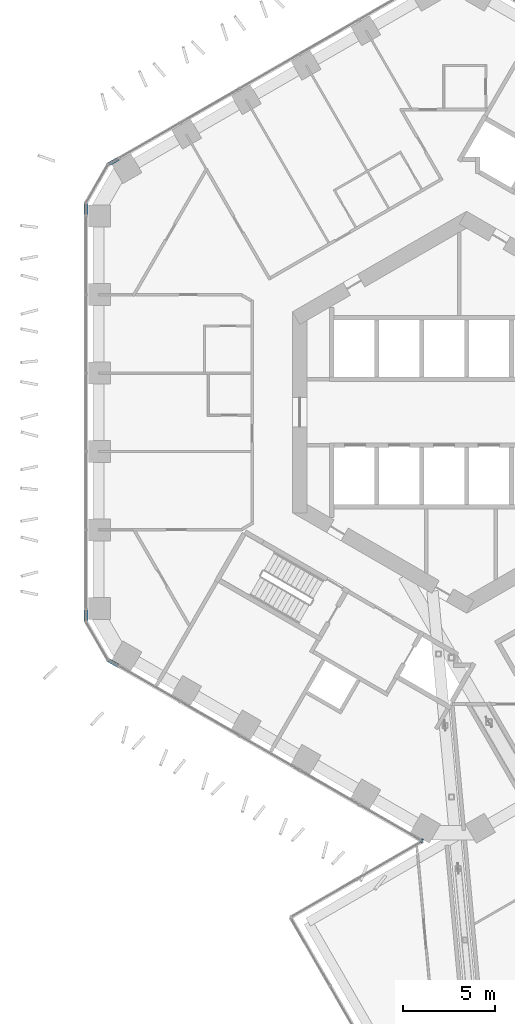
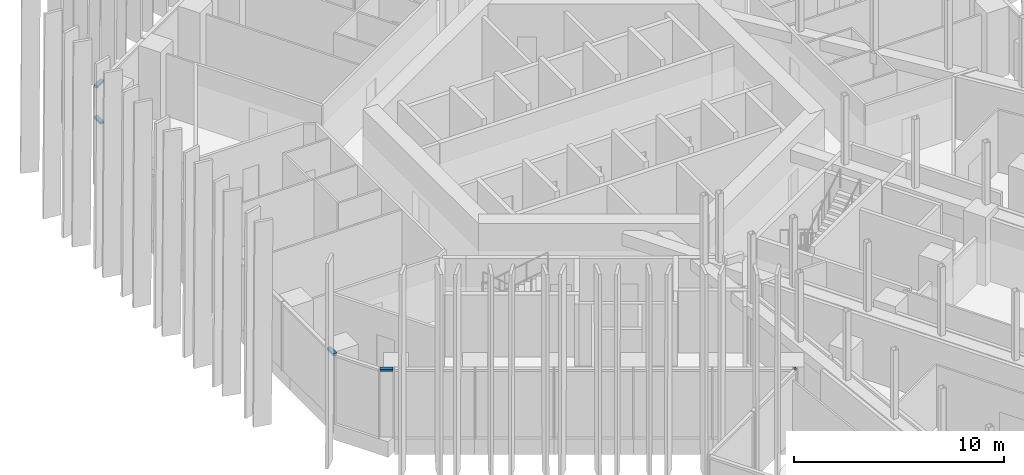
# One storey, part 11 of 29: 5 members, 3 elements without a shape of their own.
"""IFC4 building model written with IfcOpenShell, lengths in metres."""

from ifc_helpers import new_model, si_unit, direction, frame, origin, origin_2d, place, context, subcontext, project, spatial, rectangle, extrude, material, layer, layer_set, material_profile, profile_set, type_object, element, aggregate, save


model = new_model("IFC4")

# Units and contexts
model_context = context("Model", 3, precision=1e-05, world=origin(), true_north=direction((0.0, 1.0)))
body_context = subcontext(model_context, "Body", "Model", "MODEL_VIEW")
ifc_project = project(units=[si_unit("LENGTHUNIT", "METRE"), si_unit("AREAUNIT", "SQUARE_METRE"), si_unit("VOLUMEUNIT", "CUBIC_METRE"), si_unit("PLANEANGLEUNIT", "RADIAN"), si_unit("MASSUNIT", "GRAM", prefix="KILO")], contexts=[model_context])

# Site, building, storey
site_placement = place(None, origin())
site = spatial("IfcSite", under=ifc_project, at=site_placement, CompositionType="ELEMENT")
building_placement = place(site_placement, origin())
building = spatial("IfcBuilding", under=site, at=building_placement, Name="Ayvan Gate Tower", CompositionType="ELEMENT")
storey_placement = place(building_placement, frame((0.0, 0.0, 66.300048828125)))
storey = spatial("IfcBuildingStorey", under=building, at=storey_placement, Name="L17", CompositionType="ELEMENT", Elevation=66.300048828125)

# Curtain wall, members
ifc_material = material(Name="Bronze anodised aluminium", Category="aluminium")
ifc_layer = layer(ifc_material, 0.199951171875)
ifc_layer_set = layer_set([ifc_layer], Name="Bronze anodised aluminium")
curtain_wall_type = type_object("IfcCurtainWallType", Name="Stick curtain wall CW-6", PredefinedType="NOTDEFINED", material=ifc_layer_set)
curtain_wall_1_placement = place(storey_placement, origin())
curtain_wall_1 = element("IfcCurtainWall", 1, at=curtain_wall_1_placement, inside=storey, type_object=curtain_wall_type, Name="Stick curtain wall CW-6 L17", PredefinedType="NOTDEFINED")
ifc_material_profile = material_profile(ifc_material, rectangle(XDim=0.199951171875, YDim=0.1201171875, at=origin_2d()), Name="Stick curtain wall CW-6 transom 200 x 120")
ifc_profile_set = profile_set([ifc_material_profile], Name="Bronze anodised aluminium")
member_type = type_object("IfcMemberType", Name="Stick curtain wall CW-6 transom 200 x 120", PredefinedType="USERDEFINED", material=ifc_profile_set)
member_1_placement = place(storey_placement, frame((-19.002197265625, 13.83740234375, 3.93994140625), z_axis=(-0.866022959057, -0.500004234368, 0.0), x_axis=(0.500004234368, -0.866022959057, 0.0)))
member_1 = element("IfcMember", 2, at=member_1_placement, type_object=member_type, Name="CW-6 transom 1", ObjectType="TRANSOM", PredefinedType="USERDEFINED", context=body_context, shape_type="SweptSolid", body=[
    extrude(rectangle(XDim=0.199951171875, YDim=0.1201171875, at=origin_2d()), origin(), (0.0, 0.0, 1.0), 0.625),
])
member_2_placement = place(storey_placement, frame((-20.7724609375, 11.396240234375, 3.93994140625), z_axis=(0.0, -1.0, 0.0), x_axis=(1.0, 0.0, 0.0)))
member_2 = element("IfcMember", 3, at=member_2_placement, type_object=member_type, Name="CW-6 transom 3", ObjectType="TRANSOM", PredefinedType="USERDEFINED", context=body_context, shape_type="SweptSolid", body=[
    extrude(rectangle(XDim=0.199951171875, YDim=0.1201171875, at=origin_2d()), origin(), (0.0, 0.0, 1.0), 0.625),
])
aggregate(curtain_wall_1, [member_1, member_2])

curtain_wall_2_placement = place(storey_placement, origin())
curtain_wall_2 = element("IfcCurtainWall", 4, at=curtain_wall_2_placement, inside=storey, type_object=curtain_wall_type, Name="Stick curtain wall CW-6 L17", PredefinedType="NOTDEFINED")
member_3_placement = place(storey_placement, frame((-20.7724609375, -10.771240234375, 3.93994140625), z_axis=(0.0, -1.0, 0.0), x_axis=(1.0, 0.0, 0.0)))
member_3 = element("IfcMember", 5, at=member_3_placement, type_object=member_type, Name="CW-6 transom 1", ObjectType="TRANSOM", PredefinedType="USERDEFINED", context=body_context, shape_type="SweptSolid", body=[
    extrude(rectangle(XDim=0.199951171875, YDim=0.1201171875, at=origin_2d()), origin(), (0.0, 0.0, 1.0), 0.625),
])
member_4_placement = place(storey_placement, frame((-19.54345703125, -13.52490234375, 3.93994140625), z_axis=(0.866022959057, -0.500004234368, 0.0), x_axis=(0.500004234368, 0.866022959057, 0.0)))
member_4 = element("IfcMember", 6, at=member_4_placement, type_object=member_type, Name="CW-6 transom 3", ObjectType="TRANSOM", PredefinedType="USERDEFINED", context=body_context, shape_type="SweptSolid", body=[
    extrude(rectangle(XDim=0.199951171875, YDim=0.1201171875, at=origin_2d()), origin(), (0.0, 0.0, 1.0), 0.625),
])
aggregate(curtain_wall_2, [member_3, member_4])

# Curtain wall, member
curtain_wall_3_placement = place(storey_placement, origin())
curtain_wall_3 = element("IfcCurtainWall", 7, at=curtain_wall_3_placement, inside=storey, type_object=curtain_wall_type, Name="Stick curtain wall CW-6 L17", PredefinedType="NOTDEFINED")
member_5_placement = place(storey_placement, frame((-2.482421875, -23.375, 3.93994140625), z_axis=(0.965497057013, -0.260413964487, 0.0), x_axis=(0.260413964487, 0.965497057013, 0.0)))
member_5 = element("IfcMember", 8, at=member_5_placement, type_object=member_type, Name="CW-6 transom 1", ObjectType="TRANSOM", PredefinedType="USERDEFINED", context=body_context, shape_type="SweptSolid", body=[
    extrude(rectangle(XDim=0.199951171875, YDim=0.1201171875, at=origin_2d()), origin(), (0.0, 0.0, 1.0), 0.099365234375),
])
aggregate(curtain_wall_3, [member_5])

save(model, "model.ifc")
